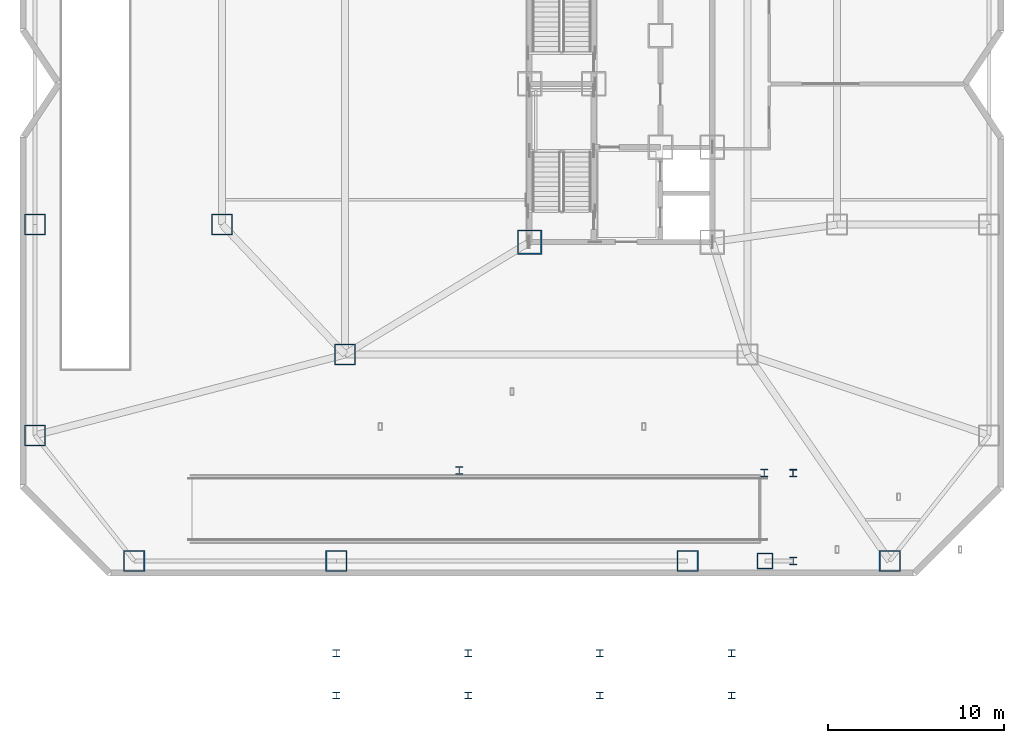
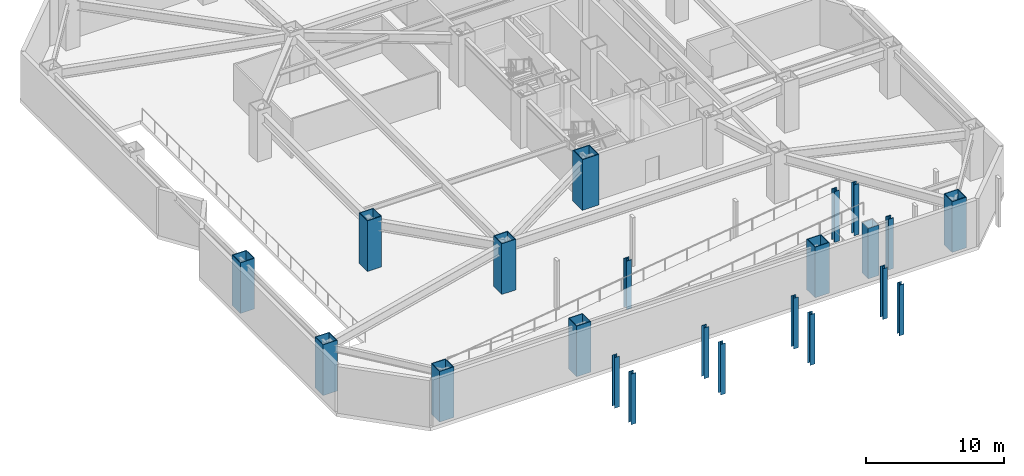
# One storey, part 1 of 14: 22 columns.
"""IFC4 building model written with IfcOpenShell, lengths in metres."""

from ifc_helpers import new_model, si_unit, direction, frame, origin, origin_2d, place, context, subcontext, project, spatial, hollow_rectangle, i_section, extrude, material, material_profile, profile_set, type_object, element, save


model = new_model("IFC4")

# Units and contexts
model_context = context("Model", 3, precision=1e-05, world=origin(), true_north=direction((0.0, 1.0)))
body_context = subcontext(model_context, "Body", "Model", "MODEL_VIEW")
ifc_project = project(units=[si_unit("LENGTHUNIT", "METRE"), si_unit("AREAUNIT", "SQUARE_METRE"), si_unit("VOLUMEUNIT", "CUBIC_METRE"), si_unit("PLANEANGLEUNIT", "RADIAN"), si_unit("MASSUNIT", "GRAM", prefix="KILO")], contexts=[model_context])

# Site, building, storey
site_placement = place(None, origin())
site = spatial("IfcSite", under=ifc_project, at=site_placement, CompositionType="ELEMENT")
building_placement = place(site_placement, origin())
building = spatial("IfcBuilding", under=site, at=building_placement, Name="Khamvora Tower", CompositionType="ELEMENT")
storey_placement = place(building_placement, frame((0.0, 0.0, -4.5)))
storey = spatial("IfcBuildingStorey", under=building, at=storey_placement, Name="B1", CompositionType="ELEMENT", Elevation=-4.5)

# Columns
ifc_material_1 = material(Name="Steel S460", Category="steel")
ifc_material_profile_1 = material_profile(ifc_material_1, hollow_rectangle(XDim=1.199951171875, YDim=1.199951171875, WallThickness=0.06005859375, at=origin_2d()), Name="BOX1200x1200x60")
ifc_profile_set_1 = profile_set([ifc_material_profile_1], Name="Steel S460")
column_type_1 = type_object("IfcColumnType", Name="COL-BOX1200", PredefinedType="COLUMN", material=ifc_profile_set_1)
for number, where, z_axis, x_axis, name in (
    (1, (6.5, 0.85009765625, 0.0), (0.0, 0.0, 1.0), (1.0, 0.0, 0.0), "B1 structural frame column P01"),
    (2, (18.0, 0.85009765625, 0.0), (0.0, 0.0, 1.0), (1.0, 0.0, 0.0), "B1 structural frame column P02"),
    (3, (38.0, 0.85009765625, 0.0), (0.0, 0.0, 1.0), (1.0, 0.0, 0.0), "B1 structural frame column P03"),
    (4, (49.5, 0.85009765625, 0.0), (0.0, 0.0, 1.0), (1.0, 0.0, 0.0), "B1 structural frame column P04"),
    (5, (0.85009765625, 8.0, 0.0), (0.0, 0.0, 1.0), (1.0, 0.0, 0.0), "B1 structural frame column P09"),
    (6, (0.85009765625, 20.0, 0.0), (0.0, 0.0, 1.0), (1.0, 0.0, 0.0), "B1 structural frame column P10"),
    (7, (18.5, 12.60009765625, 0.0), (0.0, 0.0, 1.0), (1.0, 0.0, 0.0), "B1 structural frame column P17"),
    (8, (11.5, 20.0, 0.0), (0.0, 0.0, 1.0), (1.0, 0.0, 0.0), "B1 structural frame column P21"),
):
    element("IfcColumn", number, at=place(storey_placement, frame(where, z_axis=z_axis, x_axis=x_axis)), inside=storey, type_object=column_type_1, Name=name, PredefinedType="COLUMN", context=body_context, shape_type="SweptSolid", body=[
        extrude(hollow_rectangle(XDim=1.199951171875, YDim=1.199951171875, WallThickness=0.06005859375, at=origin_2d()), origin(), (0.0, 0.0, 1.0), 4.5),
    ])
ifc_material_profile_2 = material_profile(ifc_material_1, hollow_rectangle(XDim=1.39990234375, YDim=1.39990234375, WallThickness=0.070068359375, at=origin_2d()), Name="BOX1400x1400x70")
ifc_profile_set_2 = profile_set([ifc_material_profile_2], Name="Steel S460")
column_type_2 = type_object("IfcColumnType", Name="COL-BOX1400", PredefinedType="COLUMN", material=ifc_profile_set_2)
column_1_placement = place(storey_placement, frame((29.0, 19.0, 0.0), z_axis=(0.0, 0.0, 1.0), x_axis=(1.0, 0.0, 0.0)))
element("IfcColumn", 9, at=column_1_placement, inside=storey, type_object=column_type_2, Name="B1 plumb core spine column SC1", PredefinedType="COLUMN", context=body_context, shape_type="SweptSolid", body=[
    extrude(hollow_rectangle(XDim=1.39990234375, YDim=1.39990234375, WallThickness=0.070068359375, at=origin_2d()), origin(), (0.0, 0.0, 1.0), 4.5),
])
ifc_material_2 = material(Name="Steel S355", Category="steel")
ifc_material_profile_3 = material_profile(ifc_material_2, hollow_rectangle(XDim=0.89990234375, YDim=0.89990234375, WallThickness=0.044921875, at=origin_2d()), Name="BOX900x900x45")
ifc_profile_set_3 = profile_set([ifc_material_profile_3], Name="Steel S355")
column_type_3 = type_object("IfcColumnType", Name="COL-BOX900", PredefinedType="COLUMN", material=ifc_profile_set_3)
column_2_placement = place(storey_placement, frame((42.39990234375, 0.85009765625, 0.0), z_axis=(0.0, 0.0, 1.0), x_axis=(1.0, 0.0, 0.0)))
element("IfcColumn", 10, at=column_2_placement, inside=storey, type_object=column_type_3, Name="B1 vehicle ramp portal support column", PredefinedType="COLUMN", context=body_context, shape_type="SweptSolid", body=[
    extrude(hollow_rectangle(XDim=0.89990234375, YDim=0.89990234375, WallThickness=0.044921875, at=origin_2d()), origin(), (0.0, 0.0, 1.0), 4.47509765625),
])
ifc_material_profile_4 = material_profile(ifc_material_2, i_section(OverallWidth=0.39794921875, OverallDepth=0.386962890625, WebThickness=0.01806640625, FlangeThickness=0.029052734375, FilletRadius=0.014892578125, at=origin_2d()), Name="HD400x262")
ifc_profile_set_4 = profile_set([ifc_material_profile_4], Name="Steel S355")
column_type_4 = type_object("IfcColumnType", Name="COL-HD262", PredefinedType="PILASTER", material=ifc_profile_set_4)
for number, where, z_axis, x_axis, name in (
    (11, (18.0, -6.800048828125, 0.0), (0.0, 0.0, 1.0), (1.0, 0.0, 0.0), "B1 forecourt canopy column S11"),
    (12, (25.5, -6.800048828125, 0.0), (0.0, 0.0, 1.0), (1.0, 0.0, 0.0), "B1 forecourt canopy column S12"),
    (13, (33.0, -6.800048828125, 0.0), (0.0, 0.0, 1.0), (1.0, 0.0, 0.0), "B1 forecourt canopy column S13"),
    (14, (40.5, -6.800048828125, 0.0), (0.0, 0.0, 1.0), (1.0, 0.0, 0.0), "B1 forecourt canopy column S14"),
    (15, (18.0, -4.39990234375, 0.0), (0.0, 0.0, 1.0), (1.0, 0.0, 0.0), "B1 forecourt canopy column S21"),
    (16, (25.5, -4.39990234375, 0.0), (0.0, 0.0, 1.0), (1.0, 0.0, 0.0), "B1 forecourt canopy column S22"),
    (17, (33.0, -4.39990234375, 0.0), (0.0, 0.0, 1.0), (1.0, 0.0, 0.0), "B1 forecourt canopy column S23"),
    (18, (40.5, -4.39990234375, 0.0), (0.0, 0.0, 1.0), (1.0, 0.0, 0.0), "B1 forecourt canopy column S24"),
):
    element("IfcColumn", number, at=place(storey_placement, frame(where, z_axis=z_axis, x_axis=x_axis)), inside=storey, type_object=column_type_4, Name=name, PredefinedType="PILASTER", context=body_context, shape_type="SweptSolid", body=[
        extrude(i_section(OverallWidth=0.39794921875, OverallDepth=0.386962890625, WebThickness=0.01806640625, FlangeThickness=0.029052734375, FilletRadius=0.014892578125, at=origin_2d()), origin(), (0.0, 0.0, 1.0), 4.5),
    ])
ifc_material_profile_5 = material_profile(ifc_material_2, i_section(OverallWidth=0.406005859375, OverallDepth=0.416015625, WebThickness=0.02587890625, FlangeThickness=0.0419921875, FilletRadius=0.014892578125, at=origin_2d()), Name="HD400x382")
ifc_profile_set_5 = profile_set([ifc_material_profile_5], Name="Steel S355")
column_type_5 = type_object("IfcColumnType", Name="COL-HD382", PredefinedType="COLUMN", material=ifc_profile_set_5)
column_3_placement = place(storey_placement, frame((44.0, 5.85009765625, 0.0), z_axis=(0.0, 0.0, 1.0), x_axis=(1.0, 0.0, 0.0)))
element("IfcColumn", 19, at=column_3_placement, inside=storey, type_object=column_type_5, Name="B1 vehicle ramp east north apron column", PredefinedType="COLUMN", context=body_context, shape_type="SweptSolid", body=[
    extrude(i_section(OverallWidth=0.406005859375, OverallDepth=0.416015625, WebThickness=0.02587890625, FlangeThickness=0.0419921875, FilletRadius=0.014892578125, at=origin_2d()), origin(), (0.0, 0.0, 1.0), 4.5),
])
ifc_material_profile_6 = material_profile(ifc_material_2, i_section(OverallWidth=0.412109375, OverallDepth=0.43505859375, WebThickness=0.031005859375, FlangeThickness=0.051025390625, FilletRadius=0.014892578125, at=origin_2d()), Name="HD400x463")
ifc_profile_set_6 = profile_set([ifc_material_profile_6], Name="Steel S355")
column_type_6 = type_object("IfcColumnType", Name="COL-HD463", PredefinedType="COLUMN", material=ifc_profile_set_6)
column_4_placement = place(storey_placement, frame((25.0, 6.0, 0.0), z_axis=(0.0, 0.0, 1.0), x_axis=(1.0, 0.0, 0.0)))
element("IfcColumn", 20, at=column_4_placement, inside=storey, type_object=column_type_6, Name="B1 plaza entry apron support column", PredefinedType="COLUMN", context=body_context, shape_type="SweptSolid", body=[
    extrude(i_section(OverallWidth=0.412109375, OverallDepth=0.43505859375, WebThickness=0.031005859375, FlangeThickness=0.051025390625, FilletRadius=0.014892578125, at=origin_2d()), origin(), (0.0, 0.0, 1.0), 4.320068359375),
])
column_5_placement = place(storey_placement, frame((44.0, 0.85009765625, 0.0), z_axis=(0.0, 0.0, 1.0), x_axis=(1.0, 0.0, 0.0)))
element("IfcColumn", 21, at=column_5_placement, inside=storey, type_object=column_type_6, Name="B1 vehicle ramp east south apron column", PredefinedType="COLUMN", context=body_context, shape_type="SweptSolid", body=[
    extrude(i_section(OverallWidth=0.412109375, OverallDepth=0.43505859375, WebThickness=0.031005859375, FlangeThickness=0.051025390625, FilletRadius=0.014892578125, at=origin_2d()), origin(), (0.0, 0.0, 1.0), 4.5),
])
ifc_material_profile_7 = material_profile(ifc_material_1, i_section(OverallWidth=0.41796875, OverallDepth=0.455078125, WebThickness=0.037109375, FlangeThickness=0.06005859375, FilletRadius=0.014892578125, at=origin_2d()), Name="HD400x551")
ifc_profile_set_7 = profile_set([ifc_material_profile_7], Name="Steel S460")
column_type_7 = type_object("IfcColumnType", Name="COL-HD551", PredefinedType="COLUMN", material=ifc_profile_set_7)
column_6_placement = place(storey_placement, frame((42.35009765625, 5.85009765625, 0.0), z_axis=(0.0, 0.0, 1.0), x_axis=(1.0, 0.0, 0.0)))
element("IfcColumn", 22, at=column_6_placement, inside=storey, type_object=column_type_7, Name="B1 vehicle ramp north portal support column", PredefinedType="COLUMN", context=body_context, shape_type="SweptSolid", body=[
    extrude(i_section(OverallWidth=0.41796875, OverallDepth=0.455078125, WebThickness=0.037109375, FlangeThickness=0.06005859375, FilletRadius=0.014892578125, at=origin_2d()), origin(), (0.0, 0.0, 1.0), 4.5),
])

save(model, "model.ifc")
